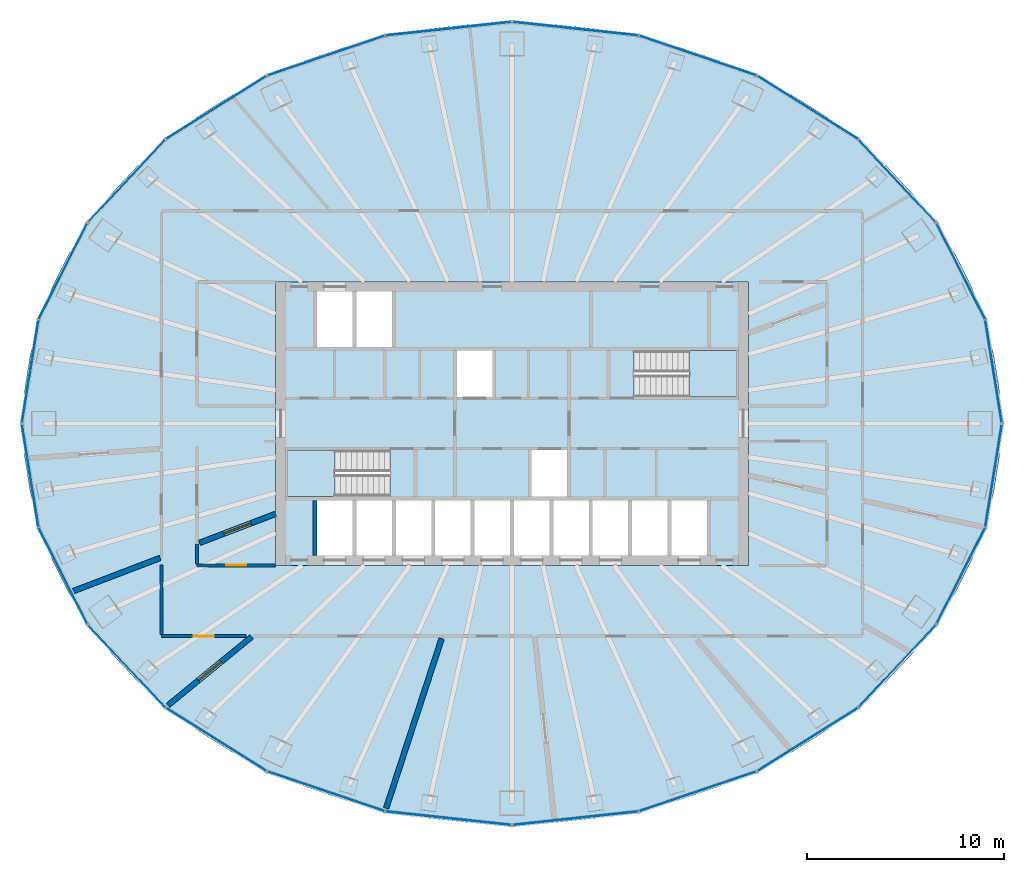
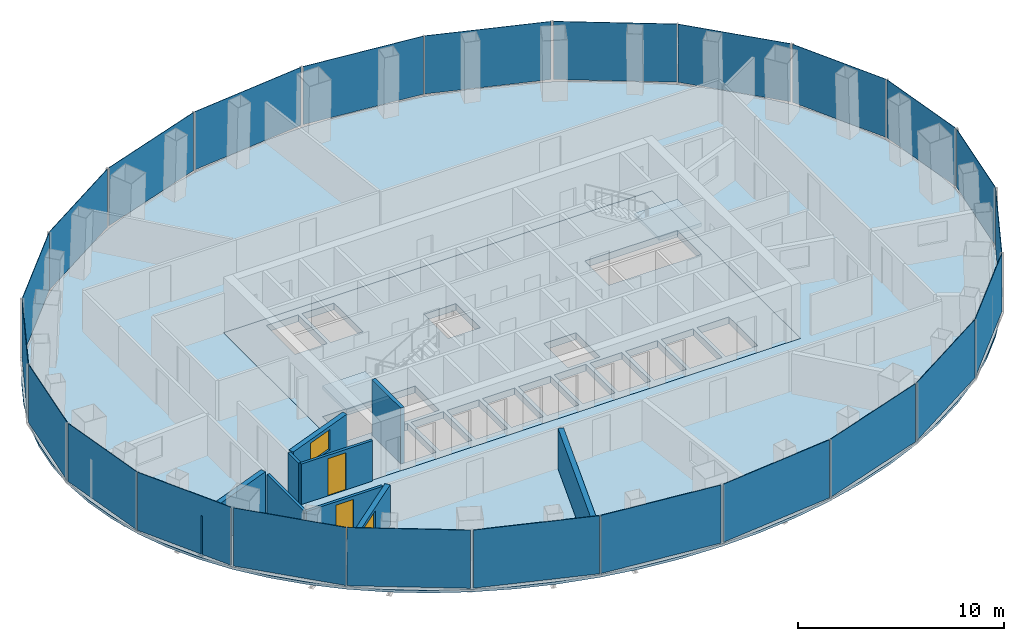
# One storey, part 7 of 12: 24 plates, 9 walls, 4 slabs, 2 doors, 2 windows, 4 openings, 14 elements without a shape of their own.
"""IFC4 building model written with IfcOpenShell, lengths in metres."""

import ifcopenshell
import ifcopenshell.guid

model = None  # the IFC model being written
_history = None  # IfcOwnerHistory: only IFC2X3 demands one
_inside = {}  # id of a spatial element -> (the spatial element, [elements in it])
_under = {}  # id of a project, library or spatial element -> (it, [spatial elements below it])
_declared = {}  # id of a project -> (the project, [libraries it declares])
_typed = {}  # id of a type object -> (the type object, [elements of that type])
_made_of = {}  # id of a material, layer set ... -> (it, [elements and type objects made of it])


def new_model(schema):
    """Start an empty IFC model of exactly this schema.

    Asked for "IFC4X3", IfcOpenShell would pick the latest addendum, in which some entities
    have other attributes; the version numbers below select the first issue.
    IFC2X3 requires an IfcOwnerHistory on every rooted entity: one is made here for all.
    """
    global model, _history
    if schema == "IFC4X3":
        model = ifcopenshell.file(schema_version=(4, 3, 0, 0))
    else:
        model = ifcopenshell.file(schema=schema)
    _inside.clear()
    _under.clear()
    _declared.clear()
    _typed.clear()
    _made_of.clear()
    _history = None
    if model.schema == "IFC2X3":
        org = make("IfcOrganization", Name="unknown")
        user = make(
            "IfcPersonAndOrganization",
            ThePerson=make("IfcPerson", FamilyName="unknown"),
            TheOrganization=org,
        )
        app = make(
            "IfcApplication",
            ApplicationDeveloper=org,
            Version="unknown",
            ApplicationFullName="unknown",
            ApplicationIdentifier="unknown",
        )
        _history = make(
            "IfcOwnerHistory",
            OwningUser=user,
            OwningApplication=app,
            ChangeAction="ADDED",
            CreationDate=0,
        )
    return model


def make(cls, **values):
    """One entity of the class cls with the attributes given. An attribute that is None is left unset."""
    return model.create_entity(
        cls, **{name: value for name, value in values.items() if value is not None}
    )


def rooted(cls, **values):
    """An entity with a GlobalId (a new one), such as an element, a storey or a relation."""
    return make(cls, GlobalId=ifcopenshell.guid.new(), OwnerHistory=_history, **values)


def si_unit(unit_type, name, prefix=None):
    """IfcSIUnit, for example si_unit("LENGTHUNIT", "METRE", prefix="MILLI")."""
    return make("IfcSIUnit", UnitType=unit_type, Prefix=prefix, Name=name)


def assignment(units):
    """IfcUnitAssignment: the units of a project."""
    return None if units is None else make("IfcUnitAssignment", Units=units)


def point(xyz):
    """IfcCartesianPoint."""
    return None if xyz is None else make("IfcCartesianPoint", Coordinates=xyz)


def direction(xyz):
    """IfcDirection."""
    return None if xyz is None else make("IfcDirection", DirectionRatios=xyz)


def frame(location, z_axis=None, x_axis=None):
    """IfcAxis2Placement3D, a coordinate frame: its origin and axes. An axis left out is left unset."""
    return make(
        "IfcAxis2Placement3D",
        Location=point(location),
        Axis=direction(z_axis),
        RefDirection=direction(x_axis),
    )


def frame_2d(location, x_axis=None):
    """IfcAxis2Placement2D, a coordinate frame in the plane: its origin and x axis."""
    return make(
        "IfcAxis2Placement2D", Location=point(location), RefDirection=direction(x_axis)
    )


def origin():
    """The frame at (0, 0, 0) with its axes left unset."""
    return frame((0.0, 0.0, 0.0))


def origin_2d():
    """The frame at (0, 0) in the plane with its x axis left unset."""
    return frame_2d((0.0, 0.0))


def place(relative_to, where):
    """IfcLocalPlacement: puts the frame where relative to a parent placement (None: the world)."""
    return make(
        "IfcLocalPlacement", PlacementRelTo=relative_to, RelativePlacement=where
    )


def context(
    kind, dimensions, precision=None, world=None, true_north=None, identifier=None
):
    """IfcGeometricRepresentationContext, for example the 3D "Model" context."""
    return make(
        "IfcGeometricRepresentationContext",
        ContextIdentifier=identifier,
        ContextType=kind,
        CoordinateSpaceDimension=dimensions,
        Precision=precision,
        WorldCoordinateSystem=world,
        TrueNorth=true_north,
    )


def subcontext(parent, identifier, kind, view, scale=None):
    """IfcGeometricRepresentationSubContext, for example "Body" below "Model"."""
    return make(
        "IfcGeometricRepresentationSubContext",
        ContextIdentifier=identifier,
        ContextType=kind,
        ParentContext=parent,
        TargetScale=scale,
        TargetView=view,
    )


def project(units=None, contexts=None):
    """IfcProject with its units and contexts."""
    return rooted(
        "IfcProject",
        Name="project",
        RepresentationContexts=contexts,
        UnitsInContext=assignment(units),
    )


def spatial(cls, under=None, at=None, **own):
    """A site, building, storey or space (cls), placed at a placement, below another one or the project."""
    s = rooted(cls, ObjectPlacement=at, **own)
    if under is not None:
        _under.setdefault(under.id(), (under, []))[1].append(s)
    return s


def polyline(points):
    """IfcPolyline through the points."""
    return make("IfcPolyline", Points=[point(p) for p in points])


def profile(cls, at=None, kind="AREA", **sizes):
    """A parametric profile (cls). Its sizes go by their IFC names, for example OverallWidth=200.0."""
    return make(cls, ProfileType=kind, Position=at, **sizes)


def rectangle(**sizes):
    """IfcRectangleProfileDef."""
    return profile("IfcRectangleProfileDef", **sizes)


def outline(outer, holes=None, kind="AREA"):
    """IfcArbitraryClosedProfileDef: a profile drawn as a closed curve; with holes, ...WithVoids."""
    if holes is None:
        return make("IfcArbitraryClosedProfileDef", ProfileType=kind, OuterCurve=outer)
    return make(
        "IfcArbitraryProfileDefWithVoids",
        ProfileType=kind,
        OuterCurve=outer,
        InnerCurves=holes,
    )


def extrude(swept, where, along, depth):
    """IfcExtrudedAreaSolid: the profile swept, set in the frame where, extruded along a direction by depth."""
    return make(
        "IfcExtrudedAreaSolid",
        SweptArea=swept,
        Position=where,
        ExtrudedDirection=direction(along),
        Depth=depth,
    )


def shape(context_of_items, identifier, shape_type, items):
    """IfcShapeRepresentation: the items that make up one representation, for example the "Body"."""
    return make(
        "IfcShapeRepresentation",
        ContextOfItems=context_of_items,
        RepresentationIdentifier=identifier,
        RepresentationType=shape_type,
        Items=items,
    )


def material(Name=None, Category=None):
    """IfcMaterial."""
    return make("IfcMaterial", Name=Name, Category=Category)


def layer(
    of_material, thickness, ventilated=None, Name=None, Category=None, Priority=None
):
    """IfcMaterialLayer: one layer of a wall or slab, of a material (None: an air gap)."""
    return make(
        "IfcMaterialLayer",
        Material=of_material,
        LayerThickness=thickness,
        IsVentilated=ventilated,
        Name=Name,
        Category=Category,
        Priority=Priority,
    )


def layer_set(layers, Name=None):
    """IfcMaterialLayerSet."""
    return make("IfcMaterialLayerSet", MaterialLayers=layers, LayerSetName=Name)


def made_of(thing, what):
    """Note that an element or type object is made of a material, layer set ...; save() writes the relation."""
    if what is not None:
        _made_of.setdefault(what.id(), (what, []))[1].append(thing)
    return thing


def type_object(cls, material=None, **own):
    """A type object (cls), such as IfcWallType, which elements share."""
    return made_of(rooted(cls, **own), material)


def element(
    cls,
    number,
    at=None,
    inside=None,
    cuts=None,
    type_object=None,
    material=None,
    context=None,
    identifier="Body",
    shape_type=None,
    held_by="IfcProductDefinitionShape",
    body=None,
    shapes=None,
    **own,
):
    """One element of the class cls, such as IfcWall. Its Tag is "e" and its number.

    at: its placement. inside: the storey or other place that contains it. cuts: it is an
    opening in that element (IfcRelVoidsElement). A single representation is given by context,
    identifier, shape_type and body (its items); several are given by shapes. held_by: the class
    of the entity that holds the representations. save() writes the other relations.
    """
    e = rooted(cls, Tag="e%d" % number, ObjectPlacement=at, **own)
    if body is not None:
        shapes = [shape(context, identifier, shape_type, body)]
    if shapes is not None:
        e.Representation = make(held_by, Representations=shapes)
    if inside is not None:
        _inside.setdefault(inside.id(), (inside, []))[1].append(e)
    if cuts is not None:
        rooted(
            "IfcRelVoidsElement", RelatingBuildingElement=cuts, RelatedOpeningElement=e
        )
    if type_object is not None:
        _typed.setdefault(type_object.id(), (type_object, []))[1].append(e)
    return made_of(e, material)


def fill(opening, filler):
    """IfcRelFillsElement: the door or window that sits in an opening."""
    return rooted(
        "IfcRelFillsElement",
        RelatingOpeningElement=opening,
        RelatedBuildingElement=filler,
    )


def aggregate(whole, parts):
    """IfcRelAggregates: a whole, such as a stair, and the parts it consists of."""
    return rooted("IfcRelAggregates", RelatingObject=whole, RelatedObjects=parts)


def save(model, path):
    """Write the relations noted so far, then the file.

    IfcRelAggregates (storeys below a building ...), IfcRelContainedInSpatialStructure (elements
    in a storey), IfcRelDefinesByType, IfcRelAssociatesMaterial and IfcRelDeclares: one each for
    every whole, place, type object, material and project.
    """
    for whole, parts in _under.values():
        aggregate(whole, parts)
    for where, things in _inside.values():
        rooted(
            "IfcRelContainedInSpatialStructure",
            RelatedElements=things,
            RelatingStructure=where,
        )
    for kind, things in _typed.values():
        rooted("IfcRelDefinesByType", RelatedObjects=things, RelatingType=kind)
    for what, things in _made_of.values():
        rooted("IfcRelAssociatesMaterial", RelatedObjects=things, RelatingMaterial=what)
    for by, libraries in _declared.values():
        rooted("IfcRelDeclares", RelatingContext=by, RelatedDefinitions=libraries)
    model.write(path)


model = new_model("IFC4")

# Units and contexts
model_context = context("Model", 3, precision=1e-05, world=origin(), true_north=direction((0.0, 1.0)))
body_context = subcontext(model_context, "Body", "Model", "MODEL_VIEW")
ifc_project = project(units=[si_unit("LENGTHUNIT", "METRE"), si_unit("AREAUNIT", "SQUARE_METRE"), si_unit("VOLUMEUNIT", "CUBIC_METRE"), si_unit("PLANEANGLEUNIT", "RADIAN"), si_unit("MASSUNIT", "GRAM", prefix="KILO")], contexts=[model_context])

# Site, building, storey
site_placement = place(None, origin())
site = spatial("IfcSite", under=ifc_project, at=site_placement, CompositionType="ELEMENT")
building_placement = place(site_placement, origin())
building = spatial("IfcBuilding", under=site, at=building_placement, Name="Siaravel Broadcast Tower", CompositionType="ELEMENT")
storey_placement = place(building_placement, frame((0.0, 0.0, 134.10009765625)))
storey = spatial("IfcBuildingStorey", under=building, at=storey_placement, Name="L32", CompositionType="ELEMENT", Elevation=134.10009765625)

# Curtain wall, plates
ifc_material_1 = material(Name="Aluminium 6063-T6", Category="aluminium")
ifc_layer_1 = layer(ifc_material_1, 0.199951171875)
ifc_layer_set_1 = layer_set([ifc_layer_1], Name="Aluminium 6063-T6")
curtain_wall_type = type_object("IfcCurtainWallType", Name="Unitised curtain wall, zone 2", PredefinedType="NOTDEFINED", material=ifc_layer_set_1)
curtain_wall_1_placement = place(storey_placement, origin())
curtain_wall_1 = element("IfcCurtainWall", 1, at=curtain_wall_1_placement, inside=storey, type_object=curtain_wall_type, Name="L32 Unitised curtain wall, zone 2 01", PredefinedType="NOTDEFINED")
ifc_material_2 = material(Name="Tinted laminated glass", Category="glass")
ifc_layer_2 = layer(ifc_material_2, 0.030029296875)
ifc_layer_set_2 = layer_set([ifc_layer_2], Name="Tinted laminated glass")
plate_type = type_object("IfcPlateType", Name="CW-Z2 glass panel", PredefinedType="CURTAIN_PANEL", material=ifc_layer_set_2)
plate_1_placement = place(storey_placement, frame((24.4599609375, 2.656494140625, 0.10986328125), z_axis=(0.0, 0.0, 1.0), x_axis=(-0.158684773, 0.987329298, 0.0)))
plate_1 = element("IfcPlate", 2, at=plate_1_placement, type_object=plate_type, Name="CW-Z2 glass panel", PredefinedType="CURTAIN_PANEL", context=body_context, shape_type="SweptSolid", body=[
    extrude(rectangle(XDim=5.251220703125, YDim=0.030029296875, at=origin_2d()), origin(), (0.0, 0.0, 1.0), 3.43994140625),
])
plate_2_placement = place(storey_placement, frame((22.801513671875, 7.7265625, 0.10986328125), z_axis=(0.0, 0.0, 1.0), x_axis=(-0.451259145, 0.892392954, 0.0)))
plate_2 = element("IfcPlate", 3, at=plate_2_placement, type_object=plate_type, Name="CW-Z2 glass panel", PredefinedType="CURTAIN_PANEL", context=body_context, shape_type="SweptSolid", body=[
    extrude(rectangle(XDim=5.415771484375, YDim=0.030029296875, at=origin_2d()), origin(), (0.0, 0.0, 1.0), 3.43994140625),
])
aggregate(curtain_wall_1, [plate_1, plate_2])

curtain_wall_2_placement = place(storey_placement, origin())
curtain_wall_2 = element("IfcCurtainWall", 4, at=curtain_wall_2_placement, inside=storey, type_object=curtain_wall_type, Name="L32 Unitised curtain wall, zone 2 02", PredefinedType="NOTDEFINED")
plate_3_placement = place(storey_placement, frame((19.56103515625, 12.324462890625, 0.10986328125), z_axis=(0.0, 0.0, 1.0), x_axis=(-0.683653326, 0.729806913, 0.0)))
plate_3 = element("IfcPlate", 5, at=plate_3_placement, type_object=plate_type, Name="CW-Z2 glass panel", PredefinedType="CURTAIN_PANEL", context=body_context, shape_type="SweptSolid", body=[
    extrude(rectangle(XDim=5.689453125, YDim=0.030029296875, at=origin_2d()), origin(), (0.0, 0.0, 1.0), 3.43994140625),
])
plate_4_placement = place(storey_placement, frame((15.03076171875, 16.035400390625, 0.10986328125), z_axis=(0.0, 0.0, 1.0), x_axis=(-0.846649374, 0.532151141, 0.0)))
plate_4 = element("IfcPlate", 6, at=plate_4_placement, type_object=plate_type, Name="CW-Z2 glass panel", PredefinedType="CURTAIN_PANEL", context=body_context, shape_type="SweptSolid", body=[
    extrude(rectangle(XDim=5.990234375, YDim=0.030029296875, at=origin_2d()), origin(), (0.0, 0.0, 1.0), 3.43994140625),
])
aggregate(curtain_wall_2, [plate_3, plate_4])

curtain_wall_3_placement = place(storey_placement, origin())
curtain_wall_3 = element("IfcCurtainWall", 7, at=curtain_wall_3_placement, inside=storey, type_object=curtain_wall_type, Name="L32 Unitised curtain wall, zone 2 03", PredefinedType="NOTDEFINED")
plate_5_placement = place(storey_placement, frame((9.424072265625, 18.68701171875, 0.10986328125), z_axis=(0.0, 0.0, 1.0), x_axis=(-0.946976749, 0.321302097, 0.0)))
plate_5 = element("IfcPlate", 8, at=plate_5_placement, type_object=plate_type, Name="CW-Z2 glass panel", PredefinedType="CURTAIN_PANEL", context=body_context, shape_type="SweptSolid", body=[
    extrude(rectangle(XDim=6.2392578125, YDim=0.030029296875, at=origin_2d()), origin(), (0.0, 0.0, 1.0), 3.43994140625),
])
plate_6_placement = place(storey_placement, frame((3.235595703125, 20.04541015625, 0.10986328125), z_axis=(0.0, 0.0, 1.0), x_axis=(-0.994235532, 0.107218035, 0.0)))
plate_6 = element("IfcPlate", 9, at=plate_6_placement, type_object=plate_type, Name="CW-Z2 glass panel", PredefinedType="CURTAIN_PANEL", context=body_context, shape_type="SweptSolid", body=[
    extrude(rectangle(XDim=6.37890625, YDim=0.030029296875, at=origin_2d()), origin(), (0.0, 0.0, 1.0), 3.43994140625),
])
aggregate(curtain_wall_3, [plate_5, plate_6])

curtain_wall_4_placement = place(storey_placement, origin())
curtain_wall_4 = element("IfcCurtainWall", 10, at=curtain_wall_4_placement, inside=storey, type_object=curtain_wall_type, Name="L32 Unitised curtain wall, zone 2 04", PredefinedType="NOTDEFINED")
plate_7_placement = place(storey_placement, frame((-3.235595703125, 20.04541015625, 0.10986328125), z_axis=(0.0, 0.0, 1.0), x_axis=(-0.994235532, -0.107218035, 0.0)))
plate_7 = element("IfcPlate", 11, at=plate_7_placement, type_object=plate_type, Name="CW-Z2 glass panel", PredefinedType="CURTAIN_PANEL", context=body_context, shape_type="SweptSolid", body=[
    extrude(rectangle(XDim=6.37890625, YDim=0.030029296875, at=origin_2d()), origin(), (0.0, 0.0, 1.0), 3.43994140625),
])
plate_8_placement = place(storey_placement, frame((-9.424072265625, 18.68701171875, 0.10986328125), z_axis=(0.0, 0.0, 1.0), x_axis=(-0.946976749, -0.321302097, 0.0)))
plate_8 = element("IfcPlate", 12, at=plate_8_placement, type_object=plate_type, Name="CW-Z2 glass panel", PredefinedType="CURTAIN_PANEL", context=body_context, shape_type="SweptSolid", body=[
    extrude(rectangle(XDim=6.2392578125, YDim=0.030029296875, at=origin_2d()), origin(), (0.0, 0.0, 1.0), 3.43994140625),
])
aggregate(curtain_wall_4, [plate_7, plate_8])

curtain_wall_5_placement = place(storey_placement, origin())
curtain_wall_5 = element("IfcCurtainWall", 13, at=curtain_wall_5_placement, inside=storey, type_object=curtain_wall_type, Name="L32 Unitised curtain wall, zone 2 05", PredefinedType="NOTDEFINED")
plate_9_placement = place(storey_placement, frame((-15.03076171875, 16.035400390625, 0.10986328125), z_axis=(0.0, 0.0, 1.0), x_axis=(-0.846649374, -0.532151141, 0.0)))
plate_9 = element("IfcPlate", 14, at=plate_9_placement, type_object=plate_type, Name="CW-Z2 glass panel", PredefinedType="CURTAIN_PANEL", context=body_context, shape_type="SweptSolid", body=[
    extrude(rectangle(XDim=5.990234375, YDim=0.030029296875, at=origin_2d()), origin(), (0.0, 0.0, 1.0), 3.43994140625),
])
plate_10_placement = place(storey_placement, frame((-19.56103515625, 12.324462890625, 0.10986328125), z_axis=(0.0, 0.0, 1.0), x_axis=(-0.683653326, -0.729806913, 0.0)))
plate_10 = element("IfcPlate", 15, at=plate_10_placement, type_object=plate_type, Name="CW-Z2 glass panel", PredefinedType="CURTAIN_PANEL", context=body_context, shape_type="SweptSolid", body=[
    extrude(rectangle(XDim=5.689453125, YDim=0.030029296875, at=origin_2d()), origin(), (0.0, 0.0, 1.0), 3.43994140625),
])
aggregate(curtain_wall_5, [plate_9, plate_10])

curtain_wall_6_placement = place(storey_placement, origin())
curtain_wall_6 = element("IfcCurtainWall", 16, at=curtain_wall_6_placement, inside=storey, type_object=curtain_wall_type, Name="L32 Unitised curtain wall, zone 2 06", PredefinedType="NOTDEFINED")
plate_11_placement = place(storey_placement, frame((-22.801513671875, 7.7265625, 0.10986328125), z_axis=(0.0, 0.0, 1.0), x_axis=(-0.451259145, -0.892392954, 0.0)))
plate_11 = element("IfcPlate", 17, at=plate_11_placement, type_object=plate_type, Name="CW-Z2 glass panel", PredefinedType="CURTAIN_PANEL", context=body_context, shape_type="SweptSolid", body=[
    extrude(rectangle(XDim=5.415771484375, YDim=0.030029296875, at=origin_2d()), origin(), (0.0, 0.0, 1.0), 3.43994140625),
])
plate_12_placement = place(storey_placement, frame((-24.4599609375, 2.656494140625, 0.10986328125), z_axis=(0.0, 0.0, 1.0), x_axis=(-0.158684773, -0.987329298, 0.0)))
plate_12 = element("IfcPlate", 18, at=plate_12_placement, type_object=plate_type, Name="CW-Z2 glass panel", PredefinedType="CURTAIN_PANEL", context=body_context, shape_type="SweptSolid", body=[
    extrude(rectangle(XDim=5.251220703125, YDim=0.030029296875, at=origin_2d()), origin(), (0.0, 0.0, 1.0), 3.43994140625),
])
aggregate(curtain_wall_6, [plate_11, plate_12])

curtain_wall_7_placement = place(storey_placement, origin())
curtain_wall_7 = element("IfcCurtainWall", 19, at=curtain_wall_7_placement, inside=storey, type_object=curtain_wall_type, Name="L32 Unitised curtain wall, zone 2 07", PredefinedType="NOTDEFINED")
plate_13_placement = place(storey_placement, frame((-24.4599609375, -2.656494140625, 0.10986328125), z_axis=(0.0, 0.0, 1.0), x_axis=(0.158684773, -0.987329298, 0.0)))
plate_13 = element("IfcPlate", 20, at=plate_13_placement, type_object=plate_type, Name="CW-Z2 glass panel", PredefinedType="CURTAIN_PANEL", context=body_context, shape_type="SweptSolid", body=[
    extrude(rectangle(XDim=5.251220703125, YDim=0.030029296875, at=origin_2d()), origin(), (0.0, 0.0, 1.0), 3.43994140625),
])
plate_14_placement = place(storey_placement, frame((-22.801513671875, -7.7265625, 0.10986328125), z_axis=(0.0, 0.0, 1.0), x_axis=(0.451259145, -0.892392954, 0.0)))
plate_14 = element("IfcPlate", 21, at=plate_14_placement, type_object=plate_type, Name="CW-Z2 glass panel", PredefinedType="CURTAIN_PANEL", context=body_context, shape_type="SweptSolid", body=[
    extrude(rectangle(XDim=5.415771484375, YDim=0.030029296875, at=origin_2d()), origin(), (0.0, 0.0, 1.0), 3.43994140625),
])
aggregate(curtain_wall_7, [plate_13, plate_14])

curtain_wall_8_placement = place(storey_placement, origin())
curtain_wall_8 = element("IfcCurtainWall", 22, at=curtain_wall_8_placement, inside=storey, type_object=curtain_wall_type, Name="L32 Unitised curtain wall, zone 2 08", PredefinedType="NOTDEFINED")
plate_15_placement = place(storey_placement, frame((-19.56103515625, -12.324462890625, 0.10986328125), z_axis=(0.0, 0.0, 1.0), x_axis=(0.683653326, -0.729806913, 0.0)))
plate_15 = element("IfcPlate", 23, at=plate_15_placement, type_object=plate_type, Name="CW-Z2 glass panel", PredefinedType="CURTAIN_PANEL", context=body_context, shape_type="SweptSolid", body=[
    extrude(rectangle(XDim=5.689453125, YDim=0.030029296875, at=origin_2d()), origin(), (0.0, 0.0, 1.0), 3.43994140625),
])
plate_16_placement = place(storey_placement, frame((-15.03076171875, -16.035400390625, 0.10986328125), z_axis=(0.0, 0.0, 1.0), x_axis=(0.846649374, -0.532151141, 0.0)))
plate_16 = element("IfcPlate", 24, at=plate_16_placement, type_object=plate_type, Name="CW-Z2 glass panel", PredefinedType="CURTAIN_PANEL", context=body_context, shape_type="SweptSolid", body=[
    extrude(rectangle(XDim=5.990234375, YDim=0.030029296875, at=origin_2d()), origin(), (0.0, 0.0, 1.0), 3.43994140625),
])
aggregate(curtain_wall_8, [plate_15, plate_16])

curtain_wall_9_placement = place(storey_placement, origin())
curtain_wall_9 = element("IfcCurtainWall", 25, at=curtain_wall_9_placement, inside=storey, type_object=curtain_wall_type, Name="L32 Unitised curtain wall, zone 2 09", PredefinedType="NOTDEFINED")
plate_17_placement = place(storey_placement, frame((-9.424072265625, -18.68701171875, 0.10986328125), z_axis=(0.0, 0.0, 1.0), x_axis=(0.946976749, -0.321302097, 0.0)))
plate_17 = element("IfcPlate", 26, at=plate_17_placement, type_object=plate_type, Name="CW-Z2 glass panel", PredefinedType="CURTAIN_PANEL", context=body_context, shape_type="SweptSolid", body=[
    extrude(rectangle(XDim=6.2392578125, YDim=0.030029296875, at=origin_2d()), origin(), (0.0, 0.0, 1.0), 3.43994140625),
])
plate_18_placement = place(storey_placement, frame((-3.235595703125, -20.04541015625, 0.10986328125), z_axis=(0.0, 0.0, 1.0), x_axis=(0.994235532, -0.107218035, 0.0)))
plate_18 = element("IfcPlate", 27, at=plate_18_placement, type_object=plate_type, Name="CW-Z2 glass panel", PredefinedType="CURTAIN_PANEL", context=body_context, shape_type="SweptSolid", body=[
    extrude(rectangle(XDim=6.37890625, YDim=0.030029296875, at=origin_2d()), origin(), (0.0, 0.0, 1.0), 3.43994140625),
])
aggregate(curtain_wall_9, [plate_17, plate_18])

curtain_wall_10_placement = place(storey_placement, origin())
curtain_wall_10 = element("IfcCurtainWall", 28, at=curtain_wall_10_placement, inside=storey, type_object=curtain_wall_type, Name="L32 Unitised curtain wall, zone 2 10", PredefinedType="NOTDEFINED")
plate_19_placement = place(storey_placement, frame((3.235595703125, -20.04541015625, 0.10986328125), z_axis=(0.0, 0.0, 1.0), x_axis=(0.994235532, 0.107218035, 0.0)))
plate_19 = element("IfcPlate", 29, at=plate_19_placement, type_object=plate_type, Name="CW-Z2 glass panel", PredefinedType="CURTAIN_PANEL", context=body_context, shape_type="SweptSolid", body=[
    extrude(rectangle(XDim=6.37890625, YDim=0.030029296875, at=origin_2d()), origin(), (0.0, 0.0, 1.0), 3.43994140625),
])
plate_20_placement = place(storey_placement, frame((9.424072265625, -18.68701171875, 0.10986328125), z_axis=(0.0, 0.0, 1.0), x_axis=(0.946976749, 0.321302097, 0.0)))
plate_20 = element("IfcPlate", 30, at=plate_20_placement, type_object=plate_type, Name="CW-Z2 glass panel", PredefinedType="CURTAIN_PANEL", context=body_context, shape_type="SweptSolid", body=[
    extrude(rectangle(XDim=6.2392578125, YDim=0.030029296875, at=origin_2d()), origin(), (0.0, 0.0, 1.0), 3.43994140625),
])
aggregate(curtain_wall_10, [plate_19, plate_20])

curtain_wall_11_placement = place(storey_placement, origin())
curtain_wall_11 = element("IfcCurtainWall", 31, at=curtain_wall_11_placement, inside=storey, type_object=curtain_wall_type, Name="L32 Unitised curtain wall, zone 2 11", PredefinedType="NOTDEFINED")
plate_21_placement = place(storey_placement, frame((15.03076171875, -16.035400390625, 0.10986328125), z_axis=(0.0, 0.0, 1.0), x_axis=(0.846649374, 0.532151141, 0.0)))
plate_21 = element("IfcPlate", 32, at=plate_21_placement, type_object=plate_type, Name="CW-Z2 glass panel", PredefinedType="CURTAIN_PANEL", context=body_context, shape_type="SweptSolid", body=[
    extrude(rectangle(XDim=5.990234375, YDim=0.030029296875, at=origin_2d()), origin(), (0.0, 0.0, 1.0), 3.43994140625),
])
plate_22_placement = place(storey_placement, frame((19.56103515625, -12.324462890625, 0.10986328125), z_axis=(0.0, 0.0, 1.0), x_axis=(0.683653326, 0.729806913, 0.0)))
plate_22 = element("IfcPlate", 33, at=plate_22_placement, type_object=plate_type, Name="CW-Z2 glass panel", PredefinedType="CURTAIN_PANEL", context=body_context, shape_type="SweptSolid", body=[
    extrude(rectangle(XDim=5.689453125, YDim=0.030029296875, at=origin_2d()), origin(), (0.0, 0.0, 1.0), 3.43994140625),
])
aggregate(curtain_wall_11, [plate_21, plate_22])

curtain_wall_12_placement = place(storey_placement, origin())
curtain_wall_12 = element("IfcCurtainWall", 34, at=curtain_wall_12_placement, inside=storey, type_object=curtain_wall_type, Name="L32 Unitised curtain wall, zone 2 12", PredefinedType="NOTDEFINED")
plate_23_placement = place(storey_placement, frame((22.801513671875, -7.7265625, 0.10986328125), z_axis=(0.0, 0.0, 1.0), x_axis=(0.451259145, 0.892392954, 0.0)))
plate_23 = element("IfcPlate", 35, at=plate_23_placement, type_object=plate_type, Name="CW-Z2 glass panel", PredefinedType="CURTAIN_PANEL", context=body_context, shape_type="SweptSolid", body=[
    extrude(rectangle(XDim=5.415771484375, YDim=0.030029296875, at=origin_2d()), origin(), (0.0, 0.0, 1.0), 3.43994140625),
])
plate_24_placement = place(storey_placement, frame((24.4599609375, -2.656494140625, 0.10986328125), z_axis=(0.0, 0.0, 1.0), x_axis=(0.158684773, 0.987329298, 0.0)))
plate_24 = element("IfcPlate", 36, at=plate_24_placement, type_object=plate_type, Name="CW-Z2 glass panel", PredefinedType="CURTAIN_PANEL", context=body_context, shape_type="SweptSolid", body=[
    extrude(rectangle(XDim=5.251220703125, YDim=0.030029296875, at=origin_2d()), origin(), (0.0, 0.0, 1.0), 3.43994140625),
])
aggregate(curtain_wall_12, [plate_23, plate_24])

# Slabs
ifc_material_3 = material(Name="Concrete C40/50", Category="concrete")
ifc_layer_3 = layer(ifc_material_3, 0.39990234375)
ifc_layer_set_3 = layer_set([ifc_layer_3], Name="Concrete C40/50")
slab_type_1 = type_object("IfcSlabType", Name="Core floor slab 400", PredefinedType="FLOOR", material=ifc_layer_set_3)
slab_1_placement = place(storey_placement, frame((0.0, 0.0, -0.400146484375)))
element("IfcSlab", 37, at=slab_1_placement, inside=storey, type_object=slab_type_1, Name="L32 core floor", PredefinedType="FLOOR", context=body_context, shape_type="SweptSolid", body=[
    extrude(outline(polyline([(-12.0, -7.199951171875), (-12.0, 7.199951171875), (12.0, 7.199951171875), (12.0, -7.199951171875), (-12.0, -7.199951171875)]), holes=[polyline([(11.3994140625, 1.3505859375), (11.3994140625, 3.699462890625), (6.200439453125, 3.699462890625), (6.200439453125, 1.3505859375), (11.3994140625, 1.3505859375)]), polyline([(9.89990234375, -3.89990234375), (8.10009765625, -3.89990234375), (8.10009765625, -6.699951171875), (9.89990234375, -6.699951171875), (9.89990234375, -3.89990234375)]), polyline([(7.89990234375, -3.89990234375), (6.10009765625, -3.89990234375), (6.10009765625, -6.699951171875), (7.89990234375, -6.699951171875), (7.89990234375, -3.89990234375)]), polyline([(5.89990234375, -3.89990234375), (4.10009765625, -3.89990234375), (4.10009765625, -6.699951171875), (5.89990234375, -6.699951171875), (5.89990234375, -3.89990234375)]), polyline([(3.89990234375, -3.89990234375), (2.10009765625, -3.89990234375), (2.10009765625, -6.699951171875), (3.89990234375, -6.699951171875), (3.89990234375, -3.89990234375)]), polyline([(2.800048828125, -1.35009765625), (1.0, -1.35009765625), (1.0, -3.699951171875), (2.800048828125, -3.699951171875), (2.800048828125, -1.35009765625)]), polyline([(1.89990234375, -3.89990234375), (0.10009765625, -3.89990234375), (0.10009765625, -6.699951171875), (1.89990234375, -6.699951171875), (1.89990234375, -3.89990234375)]), polyline([(-0.10009765625, -3.89990234375), (-1.89990234375, -3.89990234375), (-1.89990234375, -6.699951171875), (-0.10009765625, -6.699951171875), (-0.10009765625, -3.89990234375)]), polyline([(-1.0, 3.699951171875), (-2.800048828125, 3.699951171875), (-2.800048828125, 1.35009765625), (-1.0, 1.35009765625), (-1.0, 3.699951171875)]), polyline([(-2.10009765625, -3.89990234375), (-3.89990234375, -3.89990234375), (-3.89990234375, -6.699951171875), (-2.10009765625, -6.699951171875), (-2.10009765625, -3.89990234375)]), polyline([(-4.10009765625, -3.89990234375), (-5.89990234375, -3.89990234375), (-5.89990234375, -6.699951171875), (-4.10009765625, -6.699951171875), (-4.10009765625, -3.89990234375)]), polyline([(-6.10009765625, -3.89990234375), (-7.89990234375, -3.89990234375), (-7.89990234375, -6.699951171875), (-6.10009765625, -6.699951171875), (-6.10009765625, -3.89990234375)]), polyline([(-6.10009765625, 6.699951171875), (-7.89990234375, 6.699951171875), (-7.89990234375, 3.89990234375), (-6.10009765625, 3.89990234375), (-6.10009765625, 6.699951171875)]), polyline([(-11.3994140625, -1.3505859375), (-11.3994140625, -3.699462890625), (-6.200439453125, -3.699462890625), (-6.200439453125, -1.3505859375), (-11.3994140625, -1.3505859375)]), polyline([(-8.10009765625, -3.89990234375), (-9.89990234375, -3.89990234375), (-9.89990234375, -6.699951171875), (-8.10009765625, -6.699951171875), (-8.10009765625, -3.89990234375)]), polyline([(-8.10009765625, 6.699951171875), (-9.89990234375, 6.699951171875), (-9.89990234375, 3.89990234375), (-8.10009765625, 3.89990234375), (-8.10009765625, 6.699951171875)])]), origin(), (0.0, 0.0, 1.0), 0.400146484375),
])
ifc_layer_4 = layer(ifc_material_3, 0.14990234375)
ifc_layer_set_4 = layer_set([ifc_layer_4], Name="Concrete C40/50")
slab_type_2 = type_object("IfcSlabType", Name="SLB-FLOOR-150", PredefinedType="FLOOR", material=ifc_layer_set_4)
slab_2_placement = place(storey_placement, frame((0.0, 0.0, -0.150146484375)))
element("IfcSlab", 38, at=slab_2_placement, inside=storey, type_object=slab_type_2, Name="Floor slab", PredefinedType="FLOOR", context=body_context, shape_type="SweptSolid", body=[
    extrude(outline(polyline([(24.8369140625, 0.0), (24.742431640625, 1.773193359375), (24.459716796875, 3.53271484375), (23.990478515625, 5.265380859375), (23.339111328125, 6.958251953125), (22.510009765625, 8.597900390625), (21.509521484375, 10.172119140625), (20.34521484375, 11.6689453125), (19.026123046875, 13.0771484375), (17.562255859375, 14.385498046875), (15.96484375, 15.584716796875), (14.245849609375, 16.6650390625), (12.41845703125, 17.61865234375), (10.49658203125, 18.438232421875), (8.49462890625, 19.117431640625), (6.42822265625, 19.651123046875), (4.31298828125, 20.03515625), (2.164794921875, 20.266845703125), (0.0, 20.34423828125), (-2.164794921875, 20.266845703125), (-4.31298828125, 20.03515625), (-6.42822265625, 19.651123046875), (-8.49462890625, 19.117431640625), (-10.49658203125, 18.438232421875), (-12.41845703125, 17.61865234375), (-14.245849609375, 16.6650390625), (-15.96484375, 15.584716796875), (-17.562255859375, 14.385498046875), (-19.026123046875, 13.0771484375), (-20.34521484375, 11.6689453125), (-21.509521484375, 10.172119140625), (-22.510009765625, 8.597900390625), (-23.339111328125, 6.958251953125), (-23.990478515625, 5.265380859375), (-24.459716796875, 3.53271484375), (-24.742431640625, 1.773193359375), (-24.8369140625, 0.0), (-24.742431640625, -1.773193359375), (-24.459716796875, -3.53271484375), (-23.990478515625, -5.265380859375), (-23.339111328125, -6.958251953125), (-22.510009765625, -8.597900390625), (-21.509521484375, -10.172119140625), (-20.34521484375, -11.6689453125), (-19.026123046875, -13.0771484375), (-17.562255859375, -14.385498046875), (-15.96484375, -15.584716796875), (-14.245849609375, -16.6650390625), (-12.41845703125, -17.61865234375), (-10.49658203125, -18.438232421875), (-8.49462890625, -19.117431640625), (-6.42822265625, -19.651123046875), (-4.31298828125, -20.03515625), (-2.164794921875, -20.266845703125), (0.0, -20.34423828125), (2.164794921875, -20.266845703125), (4.31298828125, -20.03515625), (6.42822265625, -19.651123046875), (8.49462890625, -19.117431640625), (10.49658203125, -18.438232421875), (12.41845703125, -17.61865234375), (14.245849609375, -16.6650390625), (15.96484375, -15.584716796875), (17.562255859375, -14.385498046875), (19.026123046875, -13.0771484375), (20.34521484375, -11.6689453125), (21.509521484375, -10.172119140625), (22.510009765625, -8.597900390625), (23.339111328125, -6.958251953125), (23.990478515625, -5.265380859375), (24.459716796875, -3.53271484375), (24.742431640625, -1.773193359375), (24.8369140625, 0.0)]), holes=[polyline([(-12.0, 7.199951171875), (12.0, 7.199951171875), (12.0, -7.199951171875), (-12.0, -7.199951171875), (-12.0, 7.199951171875)])]), origin(), (0.0, 0.0, 1.0), 0.150146484375),
])

# Stair, slab
stair_type = type_object("IfcStairType", Name="Core exit stair", PredefinedType="HALF_TURN_STAIR", material=ifc_material_3)
stair_1_placement = place(storey_placement, origin())
stair_1 = element("IfcStair", 39, at=stair_1_placement, inside=storey, type_object=stair_type, Name="L32 Exit stair ST-1", PredefinedType="HALF_TURN_STAIR")
ifc_layer_5 = layer(ifc_material_3, 0.199951171875)
ifc_layer_set_5 = layer_set([ifc_layer_5], Name="Concrete C40/50")
slab_type_3 = type_object("IfcSlabType", Name="Stair landing", PredefinedType="LANDING", material=ifc_layer_set_5)
slab_3_placement = place(storey_placement, frame((0.0, 0.0, 1.64990234375)))
slab_3 = element("IfcSlab", 40, at=slab_3_placement, type_object=slab_type_3, Name="ST-1 landing 1", PredefinedType="LANDING", context=body_context, shape_type="SweptSolid", body=[
    extrude(outline(polyline([(-9.0, -1.35009765625), (-11.39990234375, -1.35009765625), (-11.39990234375, -3.699951171875), (-9.0, -3.699951171875), (-9.0, -1.35009765625)])), origin(), (0.0, 0.0, 1.0), 0.199951171875),
])
aggregate(stair_1, [slab_3])

stair_2_placement = place(storey_placement, origin())
stair_2 = element("IfcStair", 41, at=stair_2_placement, inside=storey, type_object=stair_type, Name="L32 Exit stair ST-2", PredefinedType="HALF_TURN_STAIR")
slab_4_placement = place(storey_placement, frame((0.0, 0.0, 1.64990234375)))
slab_4 = element("IfcSlab", 42, at=slab_4_placement, type_object=slab_type_3, Name="ST-2 landing 1", PredefinedType="LANDING", context=body_context, shape_type="SweptSolid", body=[
    extrude(outline(polyline([(9.0, 1.35009765625), (11.39990234375, 1.35009765625), (11.39990234375, 3.699951171875), (9.0, 3.699951171875), (9.0, 1.35009765625)])), origin(), (0.0, 0.0, 1.0), 0.199951171875),
])
aggregate(stair_2, [slab_4])

# Wall
ifc_material_4 = material(Name="Double-leaf acoustic partition", Category="gypsum")
ifc_layer_6 = layer(ifc_material_4, 0.280029296875)
ifc_layer_set_6 = layer_set([ifc_layer_6], Name="Double-leaf acoustic partition")
wall_type_1 = type_object("IfcWallType", Name="Acoustic double-leaf wall 280", PredefinedType="PARTITIONING", material=ifc_layer_set_6)
wall_1_placement = place(storey_placement, frame((-6.390625, -19.535888671875, 0.0), z_axis=(0.0, 0.0, 1.0), x_axis=(0.310914325, 0.950437943, 0.0)))
element("IfcWall", 43, at=wall_1_placement, inside=storey, type_object=wall_type_1, Name="L32 partition 6", PredefinedType="PARTITIONING", context=body_context, shape_type="SweptSolid", body=[
    extrude(rectangle(XDim=9.064697265625, YDim=0.280029296875, at=frame_2d((4.5322265625, 0.0))), origin(), (0.0, 0.0, 1.0), 2.39990234375),
])

# Wall, opening, window
wall_2_placement = place(storey_placement, frame((-17.466796875, -14.307373046875, 0.0), z_axis=(0.0, 0.0, 1.0), x_axis=(0.773600248, 0.633673935, 0.0)))
wall_2 = element("IfcWall", 44, at=wall_2_placement, inside=storey, type_object=wall_type_1, Name="L32 partition 17", PredefinedType="PARTITIONING", context=body_context, shape_type="SweptSolid", body=[
    extrude(rectangle(XDim=5.485595703125, YDim=0.280029296875, at=frame_2d((2.74267578125, 0.0))), origin(), (0.0, 0.0, 1.0), 2.39990234375),
])
opening_1_placement = place(wall_2_placement, frame((1.992919921875, 0.0, 1.0)))
opening_1 = element("IfcOpeningElement", 45, at=opening_1_placement, cuts=wall_2, Name="Opening L32-W03", PredefinedType="OPENING", context=body_context, shape_type="SweptSolid", body=[
    extrude(rectangle(XDim=1.5, YDim=1.199951171875, at=frame_2d((0.75, 0.60009765625))), frame((0.0, 0.14990234375, 0.0), z_axis=(0.0, -1.0, 0.0), x_axis=(1.0, 0.0, 0.0)), (0.0, 0.0, 1.0), 0.300048828125),
])
ifc_material_5 = material(Name="Laminated acoustic glass", Category="glass")
window_type = type_object("IfcWindowType", Name="Studio viewing window 1500", PartitioningType="SINGLE_PANEL", PredefinedType="WINDOW", material=ifc_material_5)
window_1_placement = place(opening_1_placement, origin())
window_1 = element("IfcWindow", 46, at=window_1_placement, inside=storey, type_object=window_type, Name="L32 viewing window to Post-production room", OverallHeight=1.199951171875, OverallWidth=1.5, PartitioningType="SINGLE_PANEL", PredefinedType="WINDOW", context=body_context, shape_type="SweptSolid", body=[
    extrude(rectangle(XDim=1.5, YDim=1.199951171875, at=frame_2d((0.75, 0.60009765625))), frame((0.0, 0.030029296875, 0.0), z_axis=(0.0, -1.0, 0.0), x_axis=(1.0, 0.0, 0.0)), (0.0, 0.0, 1.0), 0.06005859375),
])
fill(opening_1, window_1)

# Wall
wall_3_placement = place(storey_placement, frame((-22.3955078125, -8.55419921875, 0.0), z_axis=(0.0, 0.0, 1.0), x_axis=(0.934184204, 0.356791077, 0.0)))
element("IfcWall", 47, at=wall_3_placement, inside=storey, type_object=wall_type_1, Name="L32 partition 21", PredefinedType="PARTITIONING", context=body_context, shape_type="SweptSolid", body=[
    extrude(rectangle(XDim=4.847412109375, YDim=0.280029296875, at=frame_2d((2.423828125, 0.0))), origin(), (0.0, 0.0, 1.0), 2.39990234375),
])

# Wall, opening, window
wall_4_placement = place(storey_placement, frame((-15.873291015625, -6.06298828125, 0.0), z_axis=(0.0, 0.0, 1.0), x_axis=(0.934170215, 0.356827703, 0.0)))
wall_4 = element("IfcWall", 48, at=wall_4_placement, inside=storey, type_object=wall_type_1, Name="L32 partition 24", PredefinedType="PARTITIONING", context=body_context, shape_type="SweptSolid", body=[
    extrude(rectangle(XDim=4.146240234375, YDim=0.280029296875, at=frame_2d((2.0732421875, 0.0))), origin(), (0.0, 0.0, 1.0), 2.39990234375),
])
opening_2_placement = place(wall_4_placement, frame((1.322998046875, 0.0, 1.0)))
opening_2 = element("IfcOpeningElement", 49, at=opening_2_placement, cuts=wall_4, Name="Opening L32-W02", PredefinedType="OPENING", context=body_context, shape_type="SweptSolid", body=[
    extrude(rectangle(XDim=1.5, YDim=1.199951171875, at=frame_2d((0.75, 0.60009765625))), frame((0.0, 0.14990234375, 0.0), z_axis=(0.0, -1.0, 0.0), x_axis=(1.0, 0.0, 0.0)), (0.0, 0.0, 1.0), 0.300048828125),
])
window_2_placement = place(opening_2_placement, origin())
window_2 = element("IfcWindow", 50, at=window_2_placement, inside=storey, type_object=window_type, Name="L32 viewing window to Post-production room", OverallHeight=1.199951171875, OverallWidth=1.5, PartitioningType="SINGLE_PANEL", PredefinedType="WINDOW", context=body_context, shape_type="SweptSolid", body=[
    extrude(rectangle(XDim=1.5, YDim=1.199951171875, at=frame_2d((0.75, 0.60009765625))), frame((0.0, 0.030029296875, 0.0), z_axis=(0.0, -1.0, 0.0), x_axis=(1.0, 0.0, 0.0)), (0.0, 0.0, 1.0), 0.06005859375),
])
fill(opening_2, window_2)

# Wall, opening, door
ifc_material_6 = material(Name="Gypsum board partition", Category="gypsum")
ifc_layer_7 = layer(ifc_material_6, 0.14990234375)
ifc_layer_set_7 = layer_set([ifc_layer_7], Name="Gypsum board partition")
wall_type_2 = type_object("IfcWallType", Name="Corridor wall 150", PredefinedType="PARTITIONING", material=ifc_layer_set_7)
wall_5_placement = place(storey_placement, frame((-17.800048828125, -10.800048828125, 0.0), z_axis=(0.0, 0.0, 1.0), x_axis=(1.0, 0.0, 0.0)))
wall_5 = element("IfcWall", 51, at=wall_5_placement, inside=storey, type_object=wall_type_2, Name="L32 partition 23", PredefinedType="PARTITIONING", context=body_context, shape_type="SweptSolid", body=[
    extrude(rectangle(XDim=4.300537109375, YDim=0.14990234375, at=frame_2d((2.150390625, 0.0))), origin(), (0.0, 0.0, 1.0), 2.39990234375),
])
opening_3_placement = place(wall_5_placement, frame((1.650390625, 0.0, 0.0)))
opening_3 = element("IfcOpeningElement", 52, at=opening_3_placement, cuts=wall_5, Name="Opening L32-008", PredefinedType="OPENING", context=body_context, shape_type="SweptSolid", body=[
    extrude(rectangle(XDim=1.0, YDim=2.199951171875, at=frame_2d((0.5, 1.10009765625))), frame((0.0, 0.0849609375, 0.0), z_axis=(0.0, -1.0, 0.0), x_axis=(1.0, 0.0, 0.0)), (0.0, 0.0, 1.0), 0.169921875),
])
ifc_material_7 = material(Name="Acoustic timber and steel", Category="steel")
door_type = type_object("IfcDoorType", Name="Acoustic door 1000", OperationType="SINGLE_SWING_LEFT", PredefinedType="DOOR", material=ifc_material_7)
door_1_placement = place(opening_3_placement, origin())
door_1 = element("IfcDoor", 53, at=door_1_placement, inside=storey, type_object=door_type, Name="L32 door to Post-production room", OperationType="SINGLE_SWING_RIGHT", OverallHeight=2.199951171875, OverallWidth=1.0, PredefinedType="DOOR", context=body_context, shape_type="SweptSolid", body=[
    extrude(rectangle(XDim=1.0, YDim=2.199951171875, at=frame_2d((0.5, 1.10009765625))), frame((0.0, 0.02490234375, 0.0), z_axis=(0.0, -1.0, 0.0), x_axis=(1.0, 0.0, 0.0)), (0.0, 0.0, 1.0), 0.050048828125),
])
fill(opening_3, door_1)

wall_6_placement = place(storey_placement, frame((-12.0, -7.199951171875, 0.0), z_axis=(0.0, 0.0, 1.0), x_axis=(-1.0, 0.0, 0.0)))
wall_6 = element("IfcWall", 54, at=wall_6_placement, inside=storey, type_object=wall_type_2, Name="L32 partition 28", PredefinedType="PARTITIONING", context=body_context, shape_type="SweptSolid", body=[
    extrude(rectangle(XDim=4.0, YDim=0.14990234375, at=frame_2d((2.0, 0.0))), origin(), (0.0, 0.0, 1.0), 2.39990234375),
])
opening_4_placement = place(wall_6_placement, frame((1.5, 0.0, 0.0)))
opening_4 = element("IfcOpeningElement", 55, at=opening_4_placement, cuts=wall_6, Name="Opening L32-009", PredefinedType="OPENING", context=body_context, shape_type="SweptSolid", body=[
    extrude(rectangle(XDim=1.0, YDim=2.199951171875, at=frame_2d((0.5, 1.10009765625))), frame((0.0, 0.0849609375, 0.0), z_axis=(0.0, -1.0, 0.0), x_axis=(1.0, 0.0, 0.0)), (0.0, 0.0, 1.0), 0.169921875),
])
door_2_placement = place(opening_4_placement, origin())
door_2 = element("IfcDoor", 56, at=door_2_placement, inside=storey, type_object=door_type, Name="L32 door to Post-production room", OperationType="SINGLE_SWING_LEFT", OverallHeight=2.199951171875, OverallWidth=1.0, PredefinedType="DOOR", context=body_context, shape_type="SweptSolid", body=[
    extrude(rectangle(XDim=1.0, YDim=2.199951171875, at=frame_2d((0.5, 1.10009765625))), frame((0.0, 0.02490234375, 0.0), z_axis=(0.0, -1.0, 0.0), x_axis=(1.0, 0.0, 0.0)), (0.0, 0.0, 1.0), 0.050048828125),
])
fill(opening_4, door_2)

# Walls
wall_7_placement = place(storey_placement, frame((-17.800048828125, -7.18798828125, 0.0), z_axis=(0.0, 0.0, 1.0), x_axis=(0.0, -1.0, 0.0)))
element("IfcWall", 57, at=wall_7_placement, inside=storey, type_object=wall_type_2, Name="L32 partition 33", PredefinedType="PARTITIONING", context=body_context, shape_type="SweptSolid", body=[
    extrude(rectangle(XDim=3.534912109375, YDim=0.14990234375, at=frame_2d((1.767578125, 0.0))), origin(), (0.0, 0.0, 1.0), 2.39990234375),
])
wall_8_placement = place(storey_placement, frame((-16.0, -7.123046875, 0.0), z_axis=(0.0, 0.0, 1.0), x_axis=(0.0, 1.0, 0.0)))
element("IfcWall", 58, at=wall_8_placement, inside=storey, type_object=wall_type_2, Name="L32 partition 43", PredefinedType="PARTITIONING", context=body_context, shape_type="SweptSolid", body=[
    extrude(rectangle(XDim=1.0107421875, YDim=0.14990234375, at=frame_2d((0.50537109375, 0.0))), origin(), (0.0, 0.0, 1.0), 2.39990234375),
])
ifc_material_8 = material(Name="Concrete C60/75", Category="concrete")
ifc_layer_8 = layer(ifc_material_8, 0.199951171875)
ifc_layer_set_8 = layer_set([ifc_layer_8], Name="Concrete C60/75")
wall_type_3 = type_object("IfcWallType", Name="Shaft wall 200", PredefinedType="SHEAR", material=ifc_layer_set_8)
wall_9_placement = place(storey_placement, frame((-10.0, -6.699951171875, 0.0), z_axis=(0.0, 0.0, 1.0), x_axis=(0.0, 1.0, 0.0)))
element("IfcWall", 59, at=wall_9_placement, inside=storey, type_object=wall_type_3, Name="L32 core wall SWS0", PredefinedType="SHEAR", context=body_context, shape_type="SweptSolid", body=[
    extrude(rectangle(XDim=2.800048828125, YDim=0.199951171875, at=frame_2d((1.39990234375, 0.0))), origin(), (0.0, 0.0, 1.0), 3.2998046875),
])

save(model, "model.ifc")
